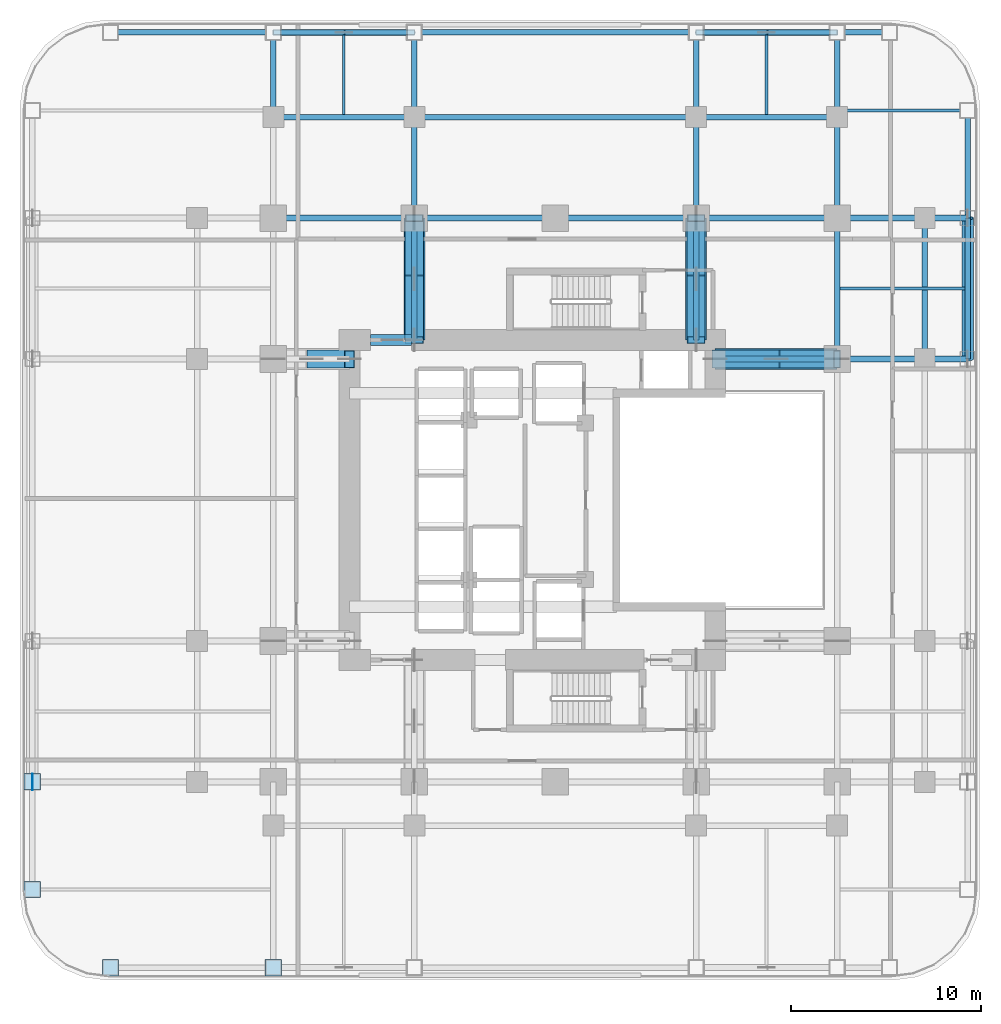
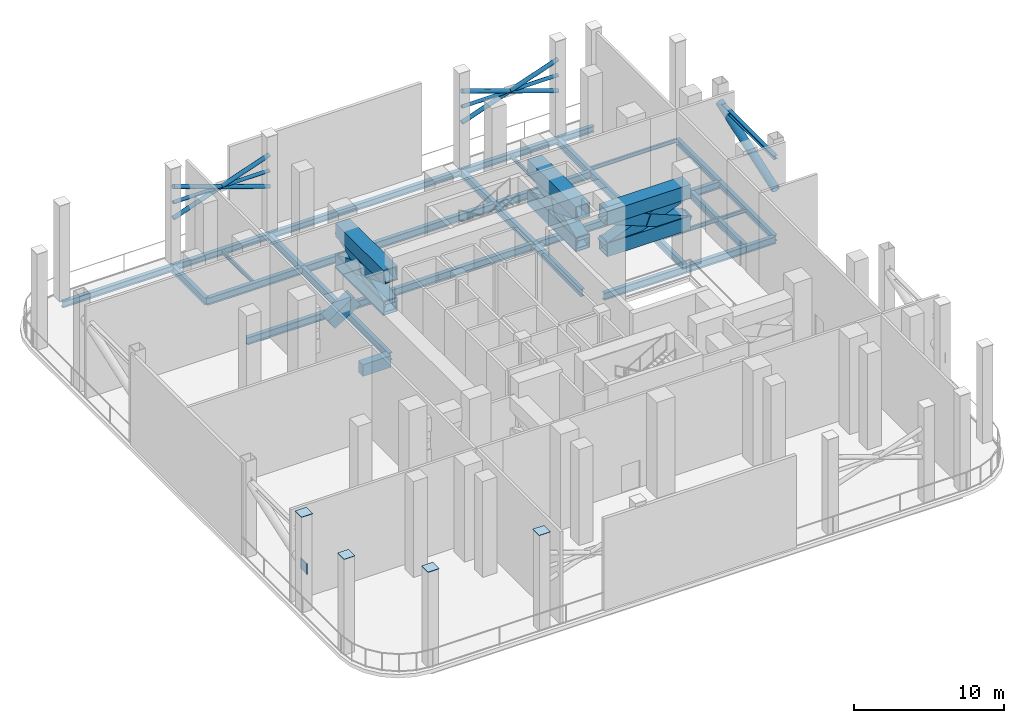
# One storey, part 3 of 11: 35 beams, 26 members, 5 plates.
"""IFC4 building model written with IfcOpenShell, lengths in metres."""

import ifcopenshell
import ifcopenshell.guid

model = None  # the IFC model being written
_history = None  # IfcOwnerHistory: only IFC2X3 demands one
_inside = {}  # id of a spatial element -> (the spatial element, [elements in it])
_under = {}  # id of a project, library or spatial element -> (it, [spatial elements below it])
_declared = {}  # id of a project -> (the project, [libraries it declares])
_typed = {}  # id of a type object -> (the type object, [elements of that type])
_made_of = {}  # id of a material, layer set ... -> (it, [elements and type objects made of it])


def new_model(schema):
    """Start an empty IFC model of exactly this schema.

    Asked for "IFC4X3", IfcOpenShell would pick the latest addendum, in which some entities
    have other attributes; the version numbers below select the first issue.
    IFC2X3 requires an IfcOwnerHistory on every rooted entity: one is made here for all.
    """
    global model, _history
    if schema == "IFC4X3":
        model = ifcopenshell.file(schema_version=(4, 3, 0, 0))
    else:
        model = ifcopenshell.file(schema=schema)
    _inside.clear()
    _under.clear()
    _declared.clear()
    _typed.clear()
    _made_of.clear()
    _history = None
    if model.schema == "IFC2X3":
        org = make("IfcOrganization", Name="unknown")
        user = make(
            "IfcPersonAndOrganization",
            ThePerson=make("IfcPerson", FamilyName="unknown"),
            TheOrganization=org,
        )
        app = make(
            "IfcApplication",
            ApplicationDeveloper=org,
            Version="unknown",
            ApplicationFullName="unknown",
            ApplicationIdentifier="unknown",
        )
        _history = make(
            "IfcOwnerHistory",
            OwningUser=user,
            OwningApplication=app,
            ChangeAction="ADDED",
            CreationDate=0,
        )
    return model


def make(cls, **values):
    """One entity of the class cls with the attributes given. An attribute that is None is left unset."""
    return model.create_entity(
        cls, **{name: value for name, value in values.items() if value is not None}
    )


def rooted(cls, **values):
    """An entity with a GlobalId (a new one), such as an element, a storey or a relation."""
    return make(cls, GlobalId=ifcopenshell.guid.new(), OwnerHistory=_history, **values)


def si_unit(unit_type, name, prefix=None):
    """IfcSIUnit, for example si_unit("LENGTHUNIT", "METRE", prefix="MILLI")."""
    return make("IfcSIUnit", UnitType=unit_type, Prefix=prefix, Name=name)


def assignment(units):
    """IfcUnitAssignment: the units of a project."""
    return None if units is None else make("IfcUnitAssignment", Units=units)


def point(xyz):
    """IfcCartesianPoint."""
    return None if xyz is None else make("IfcCartesianPoint", Coordinates=xyz)


def direction(xyz):
    """IfcDirection."""
    return None if xyz is None else make("IfcDirection", DirectionRatios=xyz)


def frame(location, z_axis=None, x_axis=None):
    """IfcAxis2Placement3D, a coordinate frame: its origin and axes. An axis left out is left unset."""
    return make(
        "IfcAxis2Placement3D",
        Location=point(location),
        Axis=direction(z_axis),
        RefDirection=direction(x_axis),
    )


def frame_2d(location, x_axis=None):
    """IfcAxis2Placement2D, a coordinate frame in the plane: its origin and x axis."""
    return make(
        "IfcAxis2Placement2D", Location=point(location), RefDirection=direction(x_axis)
    )


def origin():
    """The frame at (0, 0, 0) with its axes left unset."""
    return frame((0.0, 0.0, 0.0))


def origin_2d():
    """The frame at (0, 0) in the plane with its x axis left unset."""
    return frame_2d((0.0, 0.0))


def place(relative_to, where):
    """IfcLocalPlacement: puts the frame where relative to a parent placement (None: the world)."""
    return make(
        "IfcLocalPlacement", PlacementRelTo=relative_to, RelativePlacement=where
    )


def context(
    kind, dimensions, precision=None, world=None, true_north=None, identifier=None
):
    """IfcGeometricRepresentationContext, for example the 3D "Model" context."""
    return make(
        "IfcGeometricRepresentationContext",
        ContextIdentifier=identifier,
        ContextType=kind,
        CoordinateSpaceDimension=dimensions,
        Precision=precision,
        WorldCoordinateSystem=world,
        TrueNorth=true_north,
    )


def subcontext(parent, identifier, kind, view, scale=None):
    """IfcGeometricRepresentationSubContext, for example "Body" below "Model"."""
    return make(
        "IfcGeometricRepresentationSubContext",
        ContextIdentifier=identifier,
        ContextType=kind,
        ParentContext=parent,
        TargetScale=scale,
        TargetView=view,
    )


def project(units=None, contexts=None):
    """IfcProject with its units and contexts."""
    return rooted(
        "IfcProject",
        Name="project",
        RepresentationContexts=contexts,
        UnitsInContext=assignment(units),
    )


def spatial(cls, under=None, at=None, **own):
    """A site, building, storey or space (cls), placed at a placement, below another one or the project."""
    s = rooted(cls, ObjectPlacement=at, **own)
    if under is not None:
        _under.setdefault(under.id(), (under, []))[1].append(s)
    return s


def profile(cls, at=None, kind="AREA", **sizes):
    """A parametric profile (cls). Its sizes go by their IFC names, for example OverallWidth=200.0."""
    return make(cls, ProfileType=kind, Position=at, **sizes)


def rectangle(**sizes):
    """IfcRectangleProfileDef."""
    return profile("IfcRectangleProfileDef", **sizes)


def hollow_rectangle(**sizes):
    """IfcRectangleHollowProfileDef."""
    return profile("IfcRectangleHollowProfileDef", **sizes)


def hollow_circle(**sizes):
    """IfcCircleHollowProfileDef."""
    return profile("IfcCircleHollowProfileDef", **sizes)


def i_section(**sizes):
    """IfcIShapeProfileDef."""
    return profile("IfcIShapeProfileDef", **sizes)


def extrude(swept, where, along, depth):
    """IfcExtrudedAreaSolid: the profile swept, set in the frame where, extruded along a direction by depth."""
    return make(
        "IfcExtrudedAreaSolid",
        SweptArea=swept,
        Position=where,
        ExtrudedDirection=direction(along),
        Depth=depth,
    )


def shape(context_of_items, identifier, shape_type, items):
    """IfcShapeRepresentation: the items that make up one representation, for example the "Body"."""
    return make(
        "IfcShapeRepresentation",
        ContextOfItems=context_of_items,
        RepresentationIdentifier=identifier,
        RepresentationType=shape_type,
        Items=items,
    )


def material(Name=None, Category=None):
    """IfcMaterial."""
    return make("IfcMaterial", Name=Name, Category=Category)


def layer(
    of_material, thickness, ventilated=None, Name=None, Category=None, Priority=None
):
    """IfcMaterialLayer: one layer of a wall or slab, of a material (None: an air gap)."""
    return make(
        "IfcMaterialLayer",
        Material=of_material,
        LayerThickness=thickness,
        IsVentilated=ventilated,
        Name=Name,
        Category=Category,
        Priority=Priority,
    )


def layer_set(layers, Name=None):
    """IfcMaterialLayerSet."""
    return make("IfcMaterialLayerSet", MaterialLayers=layers, LayerSetName=Name)


def material_profile(
    of_material, cross_section, Name=None, Category=None, Priority=None
):
    """IfcMaterialProfile: a cross section and its material."""
    return make(
        "IfcMaterialProfile",
        Name=Name,
        Material=of_material,
        Profile=cross_section,
        Priority=Priority,
        Category=Category,
    )


def profile_set(profiles, Name=None, composite=None):
    """IfcMaterialProfileSet."""
    return make(
        "IfcMaterialProfileSet",
        Name=Name,
        MaterialProfiles=profiles,
        CompositeProfile=composite,
    )


def made_of(thing, what):
    """Note that an element or type object is made of a material, layer set ...; save() writes the relation."""
    if what is not None:
        _made_of.setdefault(what.id(), (what, []))[1].append(thing)
    return thing


def type_object(cls, material=None, **own):
    """A type object (cls), such as IfcWallType, which elements share."""
    return made_of(rooted(cls, **own), material)


def element(
    cls,
    number,
    at=None,
    inside=None,
    cuts=None,
    type_object=None,
    material=None,
    context=None,
    identifier="Body",
    shape_type=None,
    held_by="IfcProductDefinitionShape",
    body=None,
    shapes=None,
    **own,
):
    """One element of the class cls, such as IfcWall. Its Tag is "e" and its number.

    at: its placement. inside: the storey or other place that contains it. cuts: it is an
    opening in that element (IfcRelVoidsElement). A single representation is given by context,
    identifier, shape_type and body (its items); several are given by shapes. held_by: the class
    of the entity that holds the representations. save() writes the other relations.
    """
    e = rooted(cls, Tag="e%d" % number, ObjectPlacement=at, **own)
    if body is not None:
        shapes = [shape(context, identifier, shape_type, body)]
    if shapes is not None:
        e.Representation = make(held_by, Representations=shapes)
    if inside is not None:
        _inside.setdefault(inside.id(), (inside, []))[1].append(e)
    if cuts is not None:
        rooted(
            "IfcRelVoidsElement", RelatingBuildingElement=cuts, RelatedOpeningElement=e
        )
    if type_object is not None:
        _typed.setdefault(type_object.id(), (type_object, []))[1].append(e)
    return made_of(e, material)


def aggregate(whole, parts):
    """IfcRelAggregates: a whole, such as a stair, and the parts it consists of."""
    return rooted("IfcRelAggregates", RelatingObject=whole, RelatedObjects=parts)


def save(model, path):
    """Write the relations noted so far, then the file.

    IfcRelAggregates (storeys below a building ...), IfcRelContainedInSpatialStructure (elements
    in a storey), IfcRelDefinesByType, IfcRelAssociatesMaterial and IfcRelDeclares: one each for
    every whole, place, type object, material and project.
    """
    for whole, parts in _under.values():
        aggregate(whole, parts)
    for where, things in _inside.values():
        rooted(
            "IfcRelContainedInSpatialStructure",
            RelatedElements=things,
            RelatingStructure=where,
        )
    for kind, things in _typed.values():
        rooted("IfcRelDefinesByType", RelatedObjects=things, RelatingType=kind)
    for what, things in _made_of.values():
        rooted("IfcRelAssociatesMaterial", RelatedObjects=things, RelatingMaterial=what)
    for by, libraries in _declared.values():
        rooted("IfcRelDeclares", RelatingContext=by, RelatedDefinitions=libraries)
    model.write(path)


model = new_model("IFC4")

# Units and contexts
model_context = context("Model", 3, precision=1e-05, world=origin(), true_north=direction((0.0, 1.0)))
body_context = subcontext(model_context, "Body", "Model", "MODEL_VIEW")
ifc_project = project(units=[si_unit("LENGTHUNIT", "METRE"), si_unit("AREAUNIT", "SQUARE_METRE"), si_unit("VOLUMEUNIT", "CUBIC_METRE"), si_unit("PLANEANGLEUNIT", "RADIAN"), si_unit("MASSUNIT", "GRAM", prefix="KILO")], contexts=[model_context])

# Site, building, storey
site_placement = place(None, origin())
site = spatial("IfcSite", under=ifc_project, at=site_placement, CompositionType="ELEMENT")
building_placement = place(site_placement, origin())
building = spatial("IfcBuilding", under=site, at=building_placement, Name="Khorvyn Point Tower", CompositionType="ELEMENT")
storey_placement = place(building_placement, frame((0.0, 0.0, 77.39990234375)))
storey = spatial("IfcBuildingStorey", under=building, at=storey_placement, Name="L20", CompositionType="ELEMENT", Elevation=77.39990234375)

# Beams
ifc_material_1 = material(Name="Concrete C50/60", Category="concrete")
ifc_material_profile_1 = material_profile(ifc_material_1, rectangle(XDim=0.60009765625, YDim=0.949951171875, at=origin_2d()))
ifc_profile_set_1 = profile_set([ifc_material_profile_1], Name="Concrete C50/60 RC600x950")
beam_type_1 = type_object("IfcBeamType", Name="Concrete C50/60 Beam RC600x950", PredefinedType="BEAM", material=ifc_profile_set_1)
beam_1_placement = place(storey_placement, frame((-9.699951171875, 8.39990234375, -0.77490234375), z_axis=(1.0, 0.0, 0.0), x_axis=(0.0, 1.0, 0.0)))
element("IfcBeam", 1, at=beam_1_placement, inside=storey, type_object=beam_type_1, Name="L20 Core Northwest Portal Coupling Beam", PredefinedType="BEAM", context=body_context, shape_type="SweptSolid", body=[
    extrude(rectangle(XDim=0.60009765625, YDim=0.949951171875, at=origin_2d()), origin(), (0.0, 0.0, 1.0), 2.14990234375),
])
ifc_material_2 = material(Name="Steel S355", Category="steel")
ifc_material_profile_2 = material_profile(ifc_material_2, i_section(OverallWidth=0.300048828125, OverallDepth=0.587890625, WebThickness=0.011962890625, FlangeThickness=0.02001953125, at=origin_2d()))
ifc_profile_set_2 = profile_set([ifc_material_profile_2], Name="Steel S355 H588x300x12x20")
beam_type_2 = type_object("IfcBeamType", Name="Steel S355 Beam H588x300x12x20", PredefinedType="BEAM", material=ifc_profile_set_2)
beam_2_placement = place(storey_placement, frame((-14.800048828125, 14.800048828125, -0.593994140625), z_axis=(1.0, 0.0, 0.0), x_axis=(0.0, 1.0, 0.0)))
element("IfcBeam", 2, at=beam_2_placement, inside=storey, type_object=beam_type_2, Name="Beam", PredefinedType="BEAM", context=body_context, shape_type="SweptSolid", body=[
    extrude(i_section(OverallWidth=0.300048828125, OverallDepth=0.587890625, WebThickness=0.011962890625, FlangeThickness=0.02001953125, at=origin_2d()), origin(), (0.0, 0.0, 1.0), 7.400146484375),
])
for number, where, z_axis, x_axis, name in (
    (3, (-7.39990234375, 14.800048828125, -0.593994140625), (1.0, 0.0, 0.0), (0.0, 1.0, 0.0), "Beam"),
    (4, (0.0, 14.800048828125, -0.593994140625), (1.0, 0.0, 0.0), (0.0, 1.0, 0.0), "Beam"),
):
    element("IfcBeam", number, at=place(storey_placement, frame(where, z_axis=z_axis, x_axis=x_axis)), inside=storey, type_object=beam_type_2, Name=name, PredefinedType="BEAM", context=body_context, shape_type="SweptSolid", body=[
        extrude(i_section(OverallWidth=0.300048828125, OverallDepth=0.587890625, WebThickness=0.011962890625, FlangeThickness=0.02001953125, at=origin_2d()), origin(), (0.0, 0.0, 1.0), 7.39990234375),
    ])
beam_3_placement = place(storey_placement, frame((7.39990234375, 14.800048828125, -0.593994140625), z_axis=(1.0, 0.0, 0.0), x_axis=(0.0, 1.0, 0.0)))
element("IfcBeam", 5, at=beam_3_placement, inside=storey, type_object=beam_type_2, Name="Beam", PredefinedType="BEAM", context=body_context, shape_type="SweptSolid", body=[
    extrude(i_section(OverallWidth=0.300048828125, OverallDepth=0.587890625, WebThickness=0.011962890625, FlangeThickness=0.02001953125, at=origin_2d()), origin(), (0.0, 0.0, 1.0), 7.400146484375),
])
beam_4_placement = place(storey_placement, frame((14.800048828125, 14.800048828125, -0.593994140625), z_axis=(1.0, 0.0, 0.0), x_axis=(0.0, 1.0, 0.0)))
element("IfcBeam", 6, at=beam_4_placement, inside=storey, type_object=beam_type_2, Name="Beam", PredefinedType="BEAM", context=body_context, shape_type="SweptSolid", body=[
    extrude(i_section(OverallWidth=0.300048828125, OverallDepth=0.587890625, WebThickness=0.011962890625, FlangeThickness=0.02001953125, at=origin_2d()), origin(), (0.0, 0.0, 1.0), 4.599853515625),
])
beam_5_placement = place(storey_placement, frame((19.39990234375, 14.800048828125, -0.593994140625), z_axis=(1.0, 0.0, 0.0), x_axis=(0.0, 1.0, 0.0)))
element("IfcBeam", 7, at=beam_5_placement, inside=storey, type_object=beam_type_2, Name="Beam", PredefinedType="BEAM", context=body_context, shape_type="SweptSolid", body=[
    extrude(i_section(OverallWidth=0.300048828125, OverallDepth=0.587890625, WebThickness=0.011962890625, FlangeThickness=0.02001953125, at=origin_2d()), origin(), (0.0, 0.0, 1.0), 2.25),
])
beam_6_placement = place(storey_placement, frame((8.39990234375, 7.39990234375, -0.593994140625), z_axis=(1.0, 0.0, 0.0), x_axis=(0.0, 1.0, 0.0)))
element("IfcBeam", 8, at=beam_6_placement, inside=storey, type_object=beam_type_2, Name="Beam", PredefinedType="BEAM", context=body_context, shape_type="SweptSolid", body=[
    extrude(i_section(OverallWidth=0.300048828125, OverallDepth=0.587890625, WebThickness=0.011962890625, FlangeThickness=0.02001953125, at=origin_2d()), origin(), (0.0, 0.0, 1.0), 6.400146484375),
])
beam_7_placement = place(storey_placement, frame((14.800048828125, 7.39990234375, -0.593994140625), z_axis=(1.0, 0.0, 0.0), x_axis=(0.0, 1.0, 0.0)))
element("IfcBeam", 9, at=beam_7_placement, inside=storey, type_object=beam_type_2, Name="Beam", PredefinedType="BEAM", context=body_context, shape_type="SweptSolid", body=[
    extrude(i_section(OverallWidth=0.300048828125, OverallDepth=0.587890625, WebThickness=0.011962890625, FlangeThickness=0.02001953125, at=origin_2d()), origin(), (0.0, 0.0, 1.0), 4.599853515625),
])
beam_8_placement = place(storey_placement, frame((19.39990234375, 7.39990234375, -0.593994140625), z_axis=(1.0, 0.0, 0.0), x_axis=(0.0, 1.0, 0.0)))
element("IfcBeam", 10, at=beam_8_placement, inside=storey, type_object=beam_type_2, Name="Beam", PredefinedType="BEAM", context=body_context, shape_type="SweptSolid", body=[
    extrude(i_section(OverallWidth=0.300048828125, OverallDepth=0.587890625, WebThickness=0.011962890625, FlangeThickness=0.02001953125, at=origin_2d()), origin(), (0.0, 0.0, 1.0), 2.25),
])
beam_9_placement = place(storey_placement, frame((-14.800048828125, 20.10009765625, -0.593994140625), z_axis=(1.0, 0.0, 0.0), x_axis=(0.0, 1.0, 0.0)))
element("IfcBeam", 11, at=beam_9_placement, inside=storey, type_object=beam_type_2, Name="Beam", PredefinedType="BEAM", context=body_context, shape_type="SweptSolid", body=[
    extrude(i_section(OverallWidth=0.300048828125, OverallDepth=0.587890625, WebThickness=0.011962890625, FlangeThickness=0.02001953125, at=origin_2d()), origin(), (0.0, 0.0, 1.0), 7.400146484375),
])
beam_10_placement = place(storey_placement, frame((-7.39990234375, 20.10009765625, -0.593994140625), z_axis=(1.0, 0.0, 0.0), x_axis=(0.0, 1.0, 0.0)))
element("IfcBeam", 12, at=beam_10_placement, inside=storey, type_object=beam_type_2, Name="Beam", PredefinedType="BEAM", context=body_context, shape_type="SweptSolid", body=[
    extrude(i_section(OverallWidth=0.300048828125, OverallDepth=0.587890625, WebThickness=0.011962890625, FlangeThickness=0.02001953125, at=origin_2d()), origin(), (0.0, 0.0, 1.0), 14.7998046875),
])
beam_11_placement = place(storey_placement, frame((7.39990234375, 20.10009765625, -0.593994140625), z_axis=(1.0, 0.0, 0.0), x_axis=(0.0, 1.0, 0.0)))
element("IfcBeam", 13, at=beam_11_placement, inside=storey, type_object=beam_type_2, Name="Beam", PredefinedType="BEAM", context=body_context, shape_type="SweptSolid", body=[
    extrude(i_section(OverallWidth=0.300048828125, OverallDepth=0.587890625, WebThickness=0.011962890625, FlangeThickness=0.02001953125, at=origin_2d()), origin(), (0.0, 0.0, 1.0), 7.400146484375),
])
beam_12_placement = place(storey_placement, frame((-14.800048828125, 20.10009765625, -0.593994140625), z_axis=(0.0, 1.0, 0.0), x_axis=(-1.0, 0.0, 0.0)))
element("IfcBeam", 14, at=beam_12_placement, inside=storey, type_object=beam_type_2, Name="Beam", PredefinedType="BEAM", context=body_context, shape_type="SweptSolid", body=[
    extrude(i_section(OverallWidth=0.300048828125, OverallDepth=0.587890625, WebThickness=0.011962890625, FlangeThickness=0.02001953125, at=origin_2d()), origin(), (0.0, 0.0, 1.0), 4.449951171875),
])
beam_13_placement = place(storey_placement, frame((14.800048828125, 7.39990234375, -0.593994140625), z_axis=(0.0, 1.0, 0.0), x_axis=(-1.0, 0.0, 0.0)))
element("IfcBeam", 15, at=beam_13_placement, inside=storey, type_object=beam_type_2, Name="Beam", PredefinedType="BEAM", context=body_context, shape_type="SweptSolid", body=[
    extrude(i_section(OverallWidth=0.300048828125, OverallDepth=0.587890625, WebThickness=0.011962890625, FlangeThickness=0.02001953125, at=origin_2d()), origin(), (0.0, 0.0, 1.0), 7.400146484375),
])
beam_14_placement = place(storey_placement, frame((14.800048828125, 14.800048828125, -0.593994140625), z_axis=(0.0, 1.0, 0.0), x_axis=(-1.0, 0.0, 0.0)))
element("IfcBeam", 16, at=beam_14_placement, inside=storey, type_object=beam_type_2, Name="Beam", PredefinedType="BEAM", context=body_context, shape_type="SweptSolid", body=[
    extrude(i_section(OverallWidth=0.300048828125, OverallDepth=0.587890625, WebThickness=0.011962890625, FlangeThickness=0.02001953125, at=origin_2d()), origin(), (0.0, 0.0, 1.0), 5.300048828125),
])
beam_15_placement = place(storey_placement, frame((14.800048828125, 20.10009765625, -0.593994140625), z_axis=(0.0, 1.0, 0.0), x_axis=(-1.0, 0.0, 0.0)))
element("IfcBeam", 17, at=beam_15_placement, inside=storey, type_object=beam_type_2, Name="Beam", PredefinedType="BEAM", context=body_context, shape_type="SweptSolid", body=[
    extrude(i_section(OverallWidth=0.300048828125, OverallDepth=0.587890625, WebThickness=0.011962890625, FlangeThickness=0.02001953125, at=origin_2d()), origin(), (0.0, 0.0, 1.0), 4.449951171875),
])
beam_16_placement = place(storey_placement, frame((-7.39990234375, 8.39990234375, -0.593994140625), z_axis=(0.0, 1.0, 0.0), x_axis=(-1.0, 0.0, 0.0)))
element("IfcBeam", 18, at=beam_16_placement, inside=storey, type_object=beam_type_2, Name="Beam", PredefinedType="BEAM", context=body_context, shape_type="SweptSolid", body=[
    extrude(i_section(OverallWidth=0.300048828125, OverallDepth=0.587890625, WebThickness=0.011962890625, FlangeThickness=0.02001953125, at=origin_2d()), origin(), (0.0, 0.0, 1.0), 6.400146484375),
])
beam_17_placement = place(storey_placement, frame((-7.39990234375, 14.800048828125, -0.593994140625), z_axis=(0.0, 1.0, 0.0), x_axis=(-1.0, 0.0, 0.0)))
element("IfcBeam", 19, at=beam_17_placement, inside=storey, type_object=beam_type_2, Name="Beam", PredefinedType="BEAM", context=body_context, shape_type="SweptSolid", body=[
    extrude(i_section(OverallWidth=0.300048828125, OverallDepth=0.587890625, WebThickness=0.011962890625, FlangeThickness=0.02001953125, at=origin_2d()), origin(), (0.0, 0.0, 1.0), 5.300048828125),
])
beam_18_placement = place(storey_placement, frame((-7.39990234375, 20.10009765625, -0.593994140625), z_axis=(0.0, 1.0, 0.0), x_axis=(-1.0, 0.0, 0.0)))
element("IfcBeam", 20, at=beam_18_placement, inside=storey, type_object=beam_type_2, Name="Beam", PredefinedType="BEAM", context=body_context, shape_type="SweptSolid", body=[
    extrude(i_section(OverallWidth=0.300048828125, OverallDepth=0.587890625, WebThickness=0.011962890625, FlangeThickness=0.02001953125, at=origin_2d()), origin(), (0.0, 0.0, 1.0), 4.449951171875),
])
beam_19_placement = place(storey_placement, frame((7.39990234375, 8.39990234375, -0.593994140625), z_axis=(0.0, 1.0, 0.0), x_axis=(-1.0, 0.0, 0.0)))
element("IfcBeam", 21, at=beam_19_placement, inside=storey, type_object=beam_type_2, Name="Beam", PredefinedType="BEAM", context=body_context, shape_type="SweptSolid", body=[
    extrude(i_section(OverallWidth=0.300048828125, OverallDepth=0.587890625, WebThickness=0.011962890625, FlangeThickness=0.02001953125, at=origin_2d()), origin(), (0.0, 0.0, 1.0), 6.400146484375),
])
beam_20_placement = place(storey_placement, frame((7.39990234375, 14.800048828125, -0.593994140625), z_axis=(0.0, 1.0, 0.0), x_axis=(-1.0, 0.0, 0.0)))
element("IfcBeam", 22, at=beam_20_placement, inside=storey, type_object=beam_type_2, Name="Beam", PredefinedType="BEAM", context=body_context, shape_type="SweptSolid", body=[
    extrude(i_section(OverallWidth=0.300048828125, OverallDepth=0.587890625, WebThickness=0.011962890625, FlangeThickness=0.02001953125, at=origin_2d()), origin(), (0.0, 0.0, 1.0), 5.300048828125),
])
beam_21_placement = place(storey_placement, frame((7.39990234375, 20.10009765625, -0.593994140625), z_axis=(0.0, 1.0, 0.0), x_axis=(-1.0, 0.0, 0.0)))
element("IfcBeam", 23, at=beam_21_placement, inside=storey, type_object=beam_type_2, Name="Beam", PredefinedType="BEAM", context=body_context, shape_type="SweptSolid", body=[
    extrude(i_section(OverallWidth=0.300048828125, OverallDepth=0.587890625, WebThickness=0.011962890625, FlangeThickness=0.02001953125, at=origin_2d()), origin(), (0.0, 0.0, 1.0), 4.449951171875),
])
beam_22_placement = place(storey_placement, frame((19.39990234375, 7.39990234375, -0.593994140625), z_axis=(0.0, 1.0, 0.0), x_axis=(-1.0, 0.0, 0.0)))
element("IfcBeam", 24, at=beam_22_placement, inside=storey, type_object=beam_type_2, Name="Beam", PredefinedType="BEAM", context=body_context, shape_type="SweptSolid", body=[
    extrude(i_section(OverallWidth=0.300048828125, OverallDepth=0.587890625, WebThickness=0.011962890625, FlangeThickness=0.02001953125, at=origin_2d()), origin(), (0.0, 0.0, 1.0), 7.400146484375),
])
ifc_material_profile_3 = material_profile(ifc_material_2, i_section(OverallWidth=0.14990234375, OverallDepth=0.300048828125, WebThickness=0.006591796875, FlangeThickness=0.009033203125, at=origin_2d()))
ifc_profile_set_3 = profile_set([ifc_material_profile_3], Name="Steel S355 H300x150x6.5x9")
beam_type_3 = type_object("IfcBeamType", Name="Steel S355 Joist H300x150x6.5x9", PredefinedType="JOIST", material=ifc_profile_set_3)
beam_23_placement = place(storey_placement, frame((14.949951171875, 11.10009765625, -0.449951171875), z_axis=(1.0, 0.0, 0.0), x_axis=(0.0, 1.0, 0.0)))
element("IfcBeam", 25, at=beam_23_placement, inside=storey, type_object=beam_type_3, Name="Beam", PredefinedType="JOIST", context=body_context, shape_type="SweptSolid", body=[
    extrude(i_section(OverallWidth=0.14990234375, OverallDepth=0.300048828125, WebThickness=0.006591796875, FlangeThickness=0.009033203125, at=origin_2d()), origin(), (0.0, 0.0, 1.0), 6.550048828125),
])
for number, where, z_axis, x_axis, name in (
    (26, (-11.10009765625, 20.25, -0.449951171875), (0.0, 1.0, 0.0), (-1.0, 0.0, 0.0), "Beam"),
    (27, (11.10009765625, 20.25, -0.449951171875), (0.0, 1.0, 0.0), (-1.0, 0.0, 0.0), "Beam"),
):
    element("IfcBeam", number, at=place(storey_placement, frame(where, z_axis=z_axis, x_axis=x_axis)), inside=storey, type_object=beam_type_3, Name=name, PredefinedType="JOIST", context=body_context, shape_type="SweptSolid", body=[
        extrude(i_section(OverallWidth=0.14990234375, OverallDepth=0.300048828125, WebThickness=0.006591796875, FlangeThickness=0.009033203125, at=origin_2d()), origin(), (0.0, 0.0, 1.0), 4.14990234375),
    ])
beam_24_placement = place(storey_placement, frame((14.949951171875, 20.449951171875, -0.449951171875), z_axis=(1.0, 0.0, 0.0), x_axis=(0.0, 1.0, 0.0)))
element("IfcBeam", 28, at=beam_24_placement, inside=storey, type_object=beam_type_3, Name="Beam", PredefinedType="JOIST", context=body_context, shape_type="SweptSolid", body=[
    extrude(i_section(OverallWidth=0.14990234375, OverallDepth=0.300048828125, WebThickness=0.006591796875, FlangeThickness=0.009033203125, at=origin_2d()), origin(), (0.0, 0.0, 1.0), 6.550048828125),
])
ifc_material_profile_4 = material_profile(ifc_material_2, i_section(OverallWidth=0.300048828125, OverallDepth=0.488037109375, WebThickness=0.010986328125, FlangeThickness=0.01806640625, at=origin_2d()))
ifc_profile_set_4 = profile_set([ifc_material_profile_4], Name="Steel S355 H488x300x11x18")
beam_type_4 = type_object("IfcBeamType", Name="Steel S355 Spandrel H488x300x11x18", PredefinedType="SPANDREL", material=ifc_profile_set_4)
beam_25_placement = place(storey_placement, frame((-23.35009765625, 24.550048828125, -0.5439453125), z_axis=(1.0, 0.0, 0.0), x_axis=(0.0, 1.0, 0.0)))
element("IfcBeam", 29, at=beam_25_placement, inside=storey, type_object=beam_type_4, Name="Beam", PredefinedType="SPANDREL", context=body_context, shape_type="SweptSolid", body=[
    extrude(i_section(OverallWidth=0.300048828125, OverallDepth=0.488037109375, WebThickness=0.010986328125, FlangeThickness=0.01806640625, at=origin_2d()), origin(), (0.0, 0.0, 1.0), 8.550048828125),
])
beam_26_placement = place(storey_placement, frame((-14.800048828125, 24.550048828125, -0.5439453125), z_axis=(1.0, 0.0, 0.0), x_axis=(0.0, 1.0, 0.0)))
element("IfcBeam", 30, at=beam_26_placement, inside=storey, type_object=beam_type_4, Name="Beam", PredefinedType="SPANDREL", context=body_context, shape_type="SweptSolid", body=[
    extrude(i_section(OverallWidth=0.300048828125, OverallDepth=0.488037109375, WebThickness=0.010986328125, FlangeThickness=0.01806640625, at=origin_2d()), origin(), (0.0, 0.0, 1.0), 7.400146484375),
])
beam_27_placement = place(storey_placement, frame((-7.39990234375, 24.550048828125, -0.5439453125), z_axis=(1.0, 0.0, 0.0), x_axis=(0.0, 1.0, 0.0)))
element("IfcBeam", 31, at=beam_27_placement, inside=storey, type_object=beam_type_4, Name="Beam", PredefinedType="SPANDREL", context=body_context, shape_type="SweptSolid", body=[
    extrude(i_section(OverallWidth=0.300048828125, OverallDepth=0.488037109375, WebThickness=0.010986328125, FlangeThickness=0.01806640625, at=origin_2d()), origin(), (0.0, 0.0, 1.0), 14.7998046875),
])
beam_28_placement = place(storey_placement, frame((7.39990234375, 24.550048828125, -0.5439453125), z_axis=(1.0, 0.0, 0.0), x_axis=(0.0, 1.0, 0.0)))
element("IfcBeam", 32, at=beam_28_placement, inside=storey, type_object=beam_type_4, Name="Beam", PredefinedType="SPANDREL", context=body_context, shape_type="SweptSolid", body=[
    extrude(i_section(OverallWidth=0.300048828125, OverallDepth=0.488037109375, WebThickness=0.010986328125, FlangeThickness=0.01806640625, at=origin_2d()), origin(), (0.0, 0.0, 1.0), 7.400146484375),
])
beam_29_placement = place(storey_placement, frame((14.800048828125, 24.550048828125, -0.5439453125), z_axis=(1.0, 0.0, 0.0), x_axis=(0.0, 1.0, 0.0)))
element("IfcBeam", 33, at=beam_29_placement, inside=storey, type_object=beam_type_4, Name="Beam", PredefinedType="SPANDREL", context=body_context, shape_type="SweptSolid", body=[
    extrude(i_section(OverallWidth=0.300048828125, OverallDepth=0.488037109375, WebThickness=0.010986328125, FlangeThickness=0.01806640625, at=origin_2d()), origin(), (0.0, 0.0, 1.0), 2.75),
])
beam_30_placement = place(storey_placement, frame((21.64990234375, 7.39990234375, -0.5439453125), z_axis=(0.0, 1.0, 0.0), x_axis=(-1.0, 0.0, 0.0)))
element("IfcBeam", 34, at=beam_30_placement, inside=storey, type_object=beam_type_4, Name="Beam", PredefinedType="SPANDREL", context=body_context, shape_type="SweptSolid", body=[
    extrude(i_section(OverallWidth=0.300048828125, OverallDepth=0.488037109375, WebThickness=0.010986328125, FlangeThickness=0.01806640625, at=origin_2d()), origin(), (0.0, 0.0, 1.0), 7.400146484375),
])
beam_31_placement = place(storey_placement, frame((21.64990234375, 14.800048828125, -0.5439453125), z_axis=(0.0, 1.0, 0.0), x_axis=(-1.0, 0.0, 0.0)))
element("IfcBeam", 35, at=beam_31_placement, inside=storey, type_object=beam_type_4, Name="Beam", PredefinedType="SPANDREL", context=body_context, shape_type="SweptSolid", body=[
    extrude(i_section(OverallWidth=0.300048828125, OverallDepth=0.488037109375, WebThickness=0.010986328125, FlangeThickness=0.01806640625, at=origin_2d()), origin(), (0.0, 0.0, 1.0), 5.64990234375),
])

# Members
ifc_material_profile_5 = material_profile(ifc_material_2, hollow_circle(Radius=0.161865234375, WallThickness=0.012451171875, at=origin_2d()))
ifc_profile_set_5 = profile_set([ifc_material_profile_5], Name="Steel S355 CHS323.9x12.5")
member_type_1 = type_object("IfcMemberType", Name="Steel S355 Truss Brace CHS323.9x12.5", PredefinedType="BRACE", material=ifc_profile_set_5)
member_1_placement = place(storey_placement, frame((-14.800048828125, 24.550048828125, 3.4501953125), z_axis=(0.944660653233, 0.0, 0.328049158257), x_axis=(0.0, 1.0, 0.0)))
element("IfcMember", 36, at=member_1_placement, inside=storey, type_object=member_type_1, Name="BT-BR1-L20-N1", PredefinedType="BRACE", context=body_context, shape_type="SweptSolid", body=[
    extrude(hollow_circle(Radius=0.161865234375, WallThickness=0.012451171875, at=origin_2d()), origin(), (0.0, 0.0, 1.0), 7.833740234375),
])
member_2_placement = place(storey_placement, frame((-14.800048828125, 24.550048828125, 6.02001953125), z_axis=(0.944900331144, 0.0, -0.327358158909), x_axis=(0.0, 1.0, 0.0)))
element("IfcMember", 37, at=member_2_placement, inside=storey, type_object=member_type_1, Name="BT-BR2A-L20-N1", PredefinedType="BRACE", context=body_context, shape_type="SweptSolid", body=[
    extrude(hollow_circle(Radius=0.161865234375, WallThickness=0.012451171875, at=origin_2d()), origin(), (0.0, 0.0, 1.0), 3.89453125),
])
member_3_placement = place(storey_placement, frame((-11.080078125, 24.550048828125, 4.72509765625), z_axis=(0.944907048433, 0.0, -0.3273387692), x_axis=(0.0, 1.0, 0.0)))
element("IfcMember", 38, at=member_3_placement, inside=storey, type_object=member_type_1, Name="BT-BR2B-L20-N1", PredefinedType="BRACE", context=body_context, shape_type="SweptSolid", body=[
    extrude(hollow_circle(Radius=0.161865234375, WallThickness=0.012451171875, at=origin_2d()), origin(), (0.0, 0.0, 1.0), 3.894775390625),
])
member_4_placement = place(storey_placement, frame((7.39990234375, 24.550048828125, 3.4501953125), z_axis=(0.944660653233, 0.0, 0.328049158257), x_axis=(0.0, 1.0, 0.0)))
element("IfcMember", 39, at=member_4_placement, inside=storey, type_object=member_type_1, Name="BT-BR1-L20-N2", PredefinedType="BRACE", context=body_context, shape_type="SweptSolid", body=[
    extrude(hollow_circle(Radius=0.161865234375, WallThickness=0.012451171875, at=origin_2d()), origin(), (0.0, 0.0, 1.0), 7.833740234375),
])
member_5_placement = place(storey_placement, frame((7.39990234375, 24.550048828125, 6.02001953125), z_axis=(0.944907048433, 0.0, -0.3273387692), x_axis=(0.0, 1.0, 0.0)))
element("IfcMember", 40, at=member_5_placement, inside=storey, type_object=member_type_1, Name="BT-BR2A-L20-N2", PredefinedType="BRACE", context=body_context, shape_type="SweptSolid", body=[
    extrude(hollow_circle(Radius=0.161865234375, WallThickness=0.012451171875, at=origin_2d()), origin(), (0.0, 0.0, 1.0), 3.894775390625),
])
member_6_placement = place(storey_placement, frame((11.1201171875, 24.550048828125, 4.72509765625), z_axis=(0.944900331144, 0.0, -0.327358158909), x_axis=(0.0, 1.0, 0.0)))
element("IfcMember", 41, at=member_6_placement, inside=storey, type_object=member_type_1, Name="BT-BR2B-L20-N2", PredefinedType="BRACE", context=body_context, shape_type="SweptSolid", body=[
    extrude(hollow_circle(Radius=0.161865234375, WallThickness=0.012451171875, at=origin_2d()), origin(), (0.0, 0.0, 1.0), 3.89453125),
])
ifc_material_profile_6 = material_profile(ifc_material_2, hollow_circle(Radius=0.136474609375, WallThickness=0.010009765625, at=origin_2d()))
ifc_profile_set_6 = profile_set([ifc_material_profile_6], Name="Steel S355 CHS273x10")
member_type_2 = type_object("IfcMemberType", Name="Steel S355 Truss Chord CHS273x10", PredefinedType="CHORD", material=ifc_profile_set_6)
for number, where, z_axis, x_axis, name in (
    (42, (-14.800048828125, 24.550048828125, 4.735107421875), (1.0, 0.0, 0.0), (0.0, 1.0, 0.0), "L20 Belt Truss Chord"),
    (43, (7.39990234375, 24.550048828125, 4.735107421875), (1.0, 0.0, 0.0), (0.0, 1.0, 0.0), "L20 Belt Truss Chord"),
):
    element("IfcMember", number, at=place(storey_placement, frame(where, z_axis=z_axis, x_axis=x_axis)), inside=storey, type_object=member_type_2, Name=name, PredefinedType="CHORD", context=body_context, shape_type="SweptSolid", body=[
        extrude(hollow_circle(Radius=0.136474609375, WallThickness=0.010009765625, at=origin_2d()), origin(), (0.0, 0.0, 1.0), 7.400146484375),
    ])
ifc_material_profile_7 = material_profile(ifc_material_2, i_section(OverallWidth=0.300048828125, OverallDepth=0.300048828125, WebThickness=0.010009765625, FlangeThickness=0.014892578125, at=origin_2d()))
ifc_profile_set_7 = profile_set([ifc_material_profile_7], Name="Steel S355 H300x300x10x15")
member_type_3 = type_object("IfcMemberType", Name="Steel S355 Truss Chord H300x300x10x15", PredefinedType="CHORD", material=ifc_profile_set_7)
member_7_placement = place(storey_placement, frame((21.64990234375, 7.39990234375, 6.02001953125), z_axis=(0.0, 1.0, 0.0), x_axis=(-1.0, 0.0, 0.0)))
element("IfcMember", 44, at=member_7_placement, inside=storey, type_object=member_type_3, Name="EXO-CH1-L20-E2", PredefinedType="CHORD", context=body_context, shape_type="SweptSolid", body=[
    extrude(i_section(OverallWidth=0.300048828125, OverallDepth=0.300048828125, WebThickness=0.010009765625, FlangeThickness=0.014892578125, at=origin_2d()), origin(), (0.0, 0.0, 1.0), 7.400146484375),
])
ifc_material_3 = material(Name="Steel S450", Category="steel")
ifc_material_profile_8 = material_profile(ifc_material_3, hollow_rectangle(XDim=0.949951171875, YDim=0.949951171875, WallThickness=0.0400390625, at=origin_2d()))
ifc_profile_set_8 = profile_set([ifc_material_profile_8], Name="Steel S450 BOX950x950x40")
member_type_4 = type_object("IfcMemberType", Name="Steel S450 Truss Brace BOX950x950x40", PredefinedType="BRACE", material=ifc_profile_set_8)
member_8_placement = place(storey_placement, frame((-10.800048828125, 7.39990234375, 6.02001953125), z_axis=(-0.841323756348, 0.0, -0.540531531925), x_axis=(0.0, -1.0, 0.0)))
element("IfcMember", 45, at=member_8_placement, inside=storey, type_object=member_type_4, Name="OT-BR2A-L20-WN", PredefinedType="BRACE", context=body_context, shape_type="SweptSolid", body=[
    extrude(hollow_rectangle(XDim=0.949951171875, YDim=0.949951171875, WallThickness=0.0400390625, at=origin_2d()), origin(), (0.0, 0.0, 1.0), 2.347412109375),
])
member_9_placement = place(storey_placement, frame((8.39990234375, 7.39990234375, 3.4501953125), z_axis=(0.927987624928, 0.0, 0.372611014304), x_axis=(0.0, 1.0, 0.0)))
element("IfcMember", 46, at=member_9_placement, inside=storey, type_object=member_type_4, Name="OT-BR1-L20-EN", PredefinedType="BRACE", context=body_context, shape_type="SweptSolid", body=[
    extrude(hollow_rectangle(XDim=0.949951171875, YDim=0.949951171875, WallThickness=0.0400390625, at=origin_2d()), origin(), (0.0, 0.0, 1.0), 6.896728515625),
])
for number, where, z_axis, x_axis, name in (
    (47, (8.39990234375, 7.39990234375, 6.02001953125), (0.927983765993, 0.0, -0.372620624838), (0.0, 1.0, 0.0), "OT-BR2A-L20-EN"),
    (48, (11.625, 7.39990234375, 4.72509765625), (0.927983765993, 0.0, -0.372620624838), (0.0, 1.0, 0.0), "OT-BR2B-L20-EN"),
):
    element("IfcMember", number, at=place(storey_placement, frame(where, z_axis=z_axis, x_axis=x_axis)), inside=storey, type_object=member_type_4, Name=name, PredefinedType="BRACE", context=body_context, shape_type="SweptSolid", body=[
        extrude(hollow_rectangle(XDim=0.949951171875, YDim=0.949951171875, WallThickness=0.0400390625, at=origin_2d()), origin(), (0.0, 0.0, 1.0), 3.42138671875),
    ])
member_10_placement = place(storey_placement, frame((-7.39990234375, 8.39990234375, 3.4501953125), z_axis=(0.0, 0.927987624928, 0.372611014304), x_axis=(-1.0, 0.0, 0.0)))
element("IfcMember", 49, at=member_10_placement, inside=storey, type_object=member_type_4, Name="OT-BR1-L20-NW", PredefinedType="BRACE", context=body_context, shape_type="SweptSolid", body=[
    extrude(hollow_rectangle(XDim=0.949951171875, YDim=0.949951171875, WallThickness=0.0400390625, at=origin_2d()), origin(), (0.0, 0.0, 1.0), 6.896728515625),
])
for number, where, z_axis, x_axis, name in (
    (50, (-7.39990234375, 8.39990234375, 6.02001953125), (0.0, 0.927983765993, -0.372620624838), (-1.0, 0.0, 0.0), "OT-BR2A-L20-NW"),
    (51, (-7.39990234375, 11.625, 4.72509765625), (0.0, 0.927983765993, -0.372620624838), (-1.0, 0.0, 0.0), "OT-BR2B-L20-NW"),
):
    element("IfcMember", number, at=place(storey_placement, frame(where, z_axis=z_axis, x_axis=x_axis)), inside=storey, type_object=member_type_4, Name=name, PredefinedType="BRACE", context=body_context, shape_type="SweptSolid", body=[
        extrude(hollow_rectangle(XDim=0.949951171875, YDim=0.949951171875, WallThickness=0.0400390625, at=origin_2d()), origin(), (0.0, 0.0, 1.0), 3.42138671875),
    ])
member_11_placement = place(storey_placement, frame((7.39990234375, 8.39990234375, 3.4501953125), z_axis=(0.0, 0.927987624928, 0.372611014304), x_axis=(-1.0, 0.0, 0.0)))
element("IfcMember", 52, at=member_11_placement, inside=storey, type_object=member_type_4, Name="OT-BR1-L20-NE", PredefinedType="BRACE", context=body_context, shape_type="SweptSolid", body=[
    extrude(hollow_rectangle(XDim=0.949951171875, YDim=0.949951171875, WallThickness=0.0400390625, at=origin_2d()), origin(), (0.0, 0.0, 1.0), 6.896728515625),
])
for number, where, z_axis, x_axis, name in (
    (53, (7.39990234375, 8.39990234375, 6.02001953125), (0.0, 0.927983765993, -0.372620624838), (-1.0, 0.0, 0.0), "OT-BR2A-L20-NE"),
    (54, (7.39990234375, 11.625, 4.72509765625), (0.0, 0.927983765993, -0.372620624838), (-1.0, 0.0, 0.0), "OT-BR2B-L20-NE"),
):
    element("IfcMember", number, at=place(storey_placement, frame(where, z_axis=z_axis, x_axis=x_axis)), inside=storey, type_object=member_type_4, Name=name, PredefinedType="BRACE", context=body_context, shape_type="SweptSolid", body=[
        extrude(hollow_rectangle(XDim=0.949951171875, YDim=0.949951171875, WallThickness=0.0400390625, at=origin_2d()), origin(), (0.0, 0.0, 1.0), 3.42138671875),
    ])
ifc_material_profile_9 = material_profile(ifc_material_3, hollow_circle(Radius=0.3046875, WallThickness=0.02490234375, at=origin_2d()))
ifc_profile_set_9 = profile_set([ifc_material_profile_9], Name="Steel S450 CHS609.6x25")
member_type_5 = type_object("IfcMemberType", Name="Steel S450 Truss Brace CHS609.6x25", PredefinedType="BRACE", material=ifc_profile_set_9)
member_12_placement = place(storey_placement, frame((21.64990234375, 7.39990234375, 3.4501953125), z_axis=(0.0, 0.944660653233, 0.328049158257), x_axis=(-1.0, 0.0, 0.0)))
element("IfcMember", 55, at=member_12_placement, inside=storey, type_object=member_type_5, Name="EXO-BR1-L20-E2", PredefinedType="BRACE", context=body_context, shape_type="SweptSolid", body=[
    extrude(hollow_circle(Radius=0.3046875, WallThickness=0.02490234375, at=origin_2d()), origin(), (0.0, 0.0, 1.0), 7.833740234375),
])
ifc_material_profile_10 = material_profile(ifc_material_3, hollow_rectangle(XDim=1.10009765625, YDim=1.10009765625, WallThickness=0.044921875, at=origin_2d()))
ifc_profile_set_10 = profile_set([ifc_material_profile_10], Name="Steel S450 BOX1100x1100x45")
member_type_6 = type_object("IfcMemberType", Name="Steel S450 Truss Chord BOX1100x1100x45", PredefinedType="CHORD", material=ifc_profile_set_10)
for number, where, z_axis, x_axis, name in (
    (56, (8.39990234375, 7.39990234375, 3.4501953125), (1.0, 0.0, 0.0), (0.0, 1.0, 0.0), "L20 Outrigger Truss Chord"),
    (57, (8.39990234375, 7.39990234375, 6.02001953125), (1.0, 0.0, 0.0), (0.0, 1.0, 0.0), "L20 Outrigger Truss Chord"),
    (58, (-7.39990234375, 8.39990234375, 3.4501953125), (0.0, 1.0, 0.0), (-1.0, 0.0, 0.0), "L20 Outrigger Truss Chord"),
    (59, (-7.39990234375, 8.39990234375, 6.02001953125), (0.0, 1.0, 0.0), (-1.0, 0.0, 0.0), "L20 Outrigger Truss Chord"),
    (60, (7.39990234375, 8.39990234375, 3.4501953125), (0.0, 1.0, 0.0), (-1.0, 0.0, 0.0), "L20 Outrigger Truss Chord"),
    (61, (7.39990234375, 8.39990234375, 6.02001953125), (0.0, 1.0, 0.0), (-1.0, 0.0, 0.0), "L20 Outrigger Truss Chord"),
):
    element("IfcMember", number, at=place(storey_placement, frame(where, z_axis=z_axis, x_axis=x_axis)), inside=storey, type_object=member_type_6, Name=name, PredefinedType="CHORD", context=body_context, shape_type="SweptSolid", body=[
        extrude(hollow_rectangle(XDim=1.10009765625, YDim=1.10009765625, WallThickness=0.044921875, at=origin_2d()), origin(), (0.0, 0.0, 1.0), 6.400146484375),
    ])

# Plates
ifc_layer = layer(ifc_material_3, 0.031982421875)
ifc_layer_set = layer_set([ifc_layer], Name="Steel S450 Exoskeleton End Cap Plate 32")
plate_type = type_object("IfcPlateType", Name="Steel S450 Exoskeleton End Cap Plate 32", PredefinedType="USERDEFINED", material=ifc_layer_set)
plate_placement = place(storey_placement, frame((-27.449951171875, -14.800048828125, 3.02001953125), z_axis=(0.0, 0.0, 1.0), x_axis=(1.0, 0.0, 0.0)))
element("IfcPlate", 62, at=plate_placement, inside=storey, type_object=plate_type, Name="NP-EXO-BOT-L20-W1", ObjectType="GUSSET", PredefinedType="USERDEFINED", context=body_context, shape_type="SweptSolid", body=[
    extrude(rectangle(XDim=0.031982421875, YDim=0.860107421875, at=origin_2d()), origin(), (0.0, 0.0, 1.0), 0.860107421875),
])
for number, where, z_axis, x_axis, name in (
    (63, (-23.35009765625, -24.550048828125, 7.7939453125), (0.0, 0.0, 1.0), (1.0, 0.0, 0.0), "Plate"),
    (64, (-27.449951171875, -20.449951171875, 7.7939453125), (0.0, 0.0, 1.0), (1.0, 0.0, 0.0), "Plate"),
    (65, (-14.800048828125, -24.550048828125, 7.7939453125), (0.0, 0.0, 1.0), (1.0, 0.0, 0.0), "Plate"),
    (66, (-27.449951171875, -14.800048828125, 7.7939453125), (0.0, 0.0, 1.0), (1.0, 0.0, 0.0), "Plate"),
):
    element("IfcPlate", number, at=place(storey_placement, frame(where, z_axis=z_axis, x_axis=x_axis)), inside=storey, type_object=plate_type, Name=name, ObjectType="GUSSET", PredefinedType="USERDEFINED", context=body_context, shape_type="SweptSolid", body=[
        extrude(rectangle(XDim=0.860107421875, YDim=0.860107421875, at=origin_2d()), origin(), (0.0, 0.0, 1.0), 0.031982421875),
    ])

save(model, "model.ifc")
